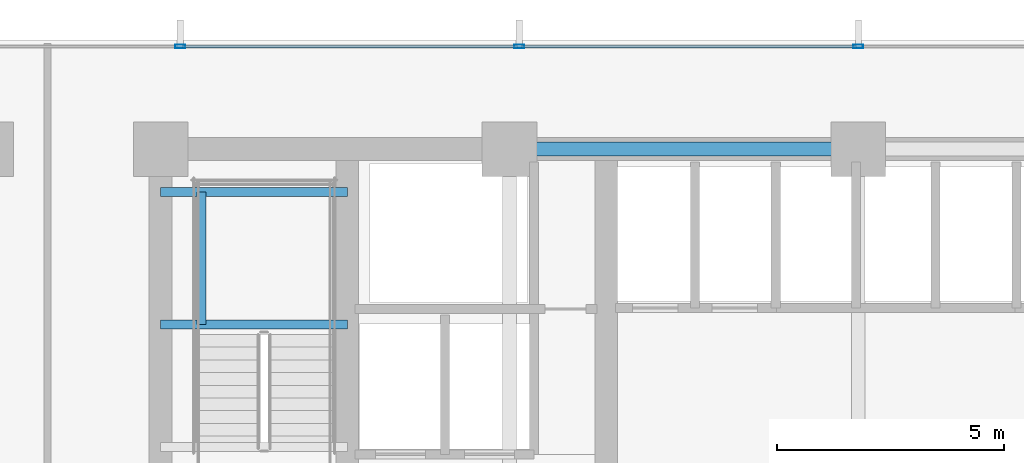
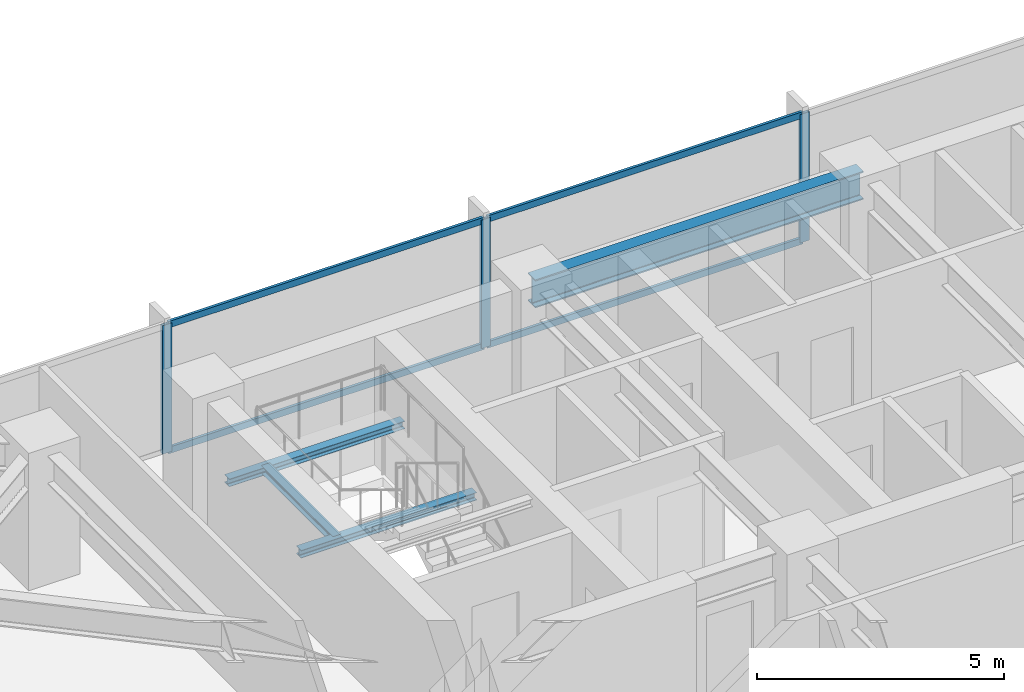
# One storey, part 18 of 33: 7 members, 4 beams, 1 element without a shape of its own.
"""IFC4 building model written with IfcOpenShell, lengths in metres."""

from ifc_helpers import new_model, si_unit, direction, frame, origin, origin_2d, place, context, subcontext, project, spatial, hollow_rectangle, i_section, extrude, material, material_profile, profile_set, type_object, element, aggregate, save


model = new_model("IFC4")

# Units and contexts
model_context = context("Model", 3, precision=1e-05, world=origin(), true_north=direction((0.0, 1.0)))
body_context = subcontext(model_context, "Body", "Model", "MODEL_VIEW")
ifc_project = project(units=[si_unit("LENGTHUNIT", "METRE"), si_unit("AREAUNIT", "SQUARE_METRE"), si_unit("VOLUMEUNIT", "CUBIC_METRE"), si_unit("PLANEANGLEUNIT", "RADIAN"), si_unit("MASSUNIT", "GRAM", prefix="KILO")], contexts=[model_context])

# Site, building, storey
site_placement = place(None, origin())
site = spatial("IfcSite", under=ifc_project, at=site_placement, CompositionType="ELEMENT")
building_placement = place(site_placement, origin())
building = spatial("IfcBuilding", under=site, at=building_placement, Name="Yelkora Congress Tower", CompositionType="ELEMENT")
storey_placement = place(building_placement, frame((0.0, 0.0, 47.39990234375)))
storey = spatial("IfcBuildingStorey", under=building, at=storey_placement, Name="L11", CompositionType="ELEMENT", Elevation=47.39990234375)

# Beams
ifc_material_1 = material(Name="Steel S355J2", Category="steel")
ifc_material_profile_1 = material_profile(ifc_material_1, i_section(OverallWidth=0.300048828125, OverallDepth=0.699951171875, WebThickness=0.01708984375, FlangeThickness=0.031982421875, FilletRadius=0.027099609375, at=origin_2d()), Name="HEB 700")
ifc_profile_set_1 = profile_set([ifc_material_profile_1], Name="Steel S355J2")
beam_type_1 = type_object("IfcBeamType", Name="BM-GIRD-HEB700", PredefinedType="BEAM", material=ifc_profile_set_1)
beam_1_placement = place(storey_placement, frame((30.719970703125, 46.199951171875, 2.830078125), z_axis=(1.0, 0.0, 0.0), x_axis=(0.0, 1.0, 0.0)))
element("IfcBeam", 1, at=beam_1_placement, inside=storey, type_object=beam_type_1, Name="L11 Core North Girder 3", PredefinedType="BEAM", context=body_context, shape_type="SweptSolid", body=[
    extrude(i_section(OverallWidth=0.300048828125, OverallDepth=0.699951171875, WebThickness=0.01708984375, FlangeThickness=0.031982421875, FilletRadius=0.027099609375, at=origin_2d()), origin(), (0.0, 0.0, 1.0), 7.679931640625),
])
ifc_material_profile_2 = material_profile(ifc_material_1, i_section(OverallWidth=0.199951171875, OverallDepth=0.18994140625, WebThickness=0.006591796875, FlangeThickness=0.010009765625, FilletRadius=0.01806640625, at=origin_2d()), Name="HEA 200")
ifc_profile_set_2 = profile_set([ifc_material_profile_2], Name="Steel S355J2")
beam_type_2 = type_object("IfcBeamType", Name="BM-LAND-HEA200", PredefinedType="BEAM", material=ifc_profile_set_2)
for number, where, z_axis, x_axis, name in (
    (2, (23.0400390625, 42.340087890625, 1.384765625), (1.0, 0.0, 0.0), (0.0, 1.0, 0.0), "ST-01 L11 Landing Header Beam 1S"),
    (3, (23.0400390625, 45.25, 1.384765625), (1.0, 0.0, 0.0), (0.0, 1.0, 0.0), "ST-01 L11 Landing Header Beam 1N"),
):
    element("IfcBeam", number, at=place(storey_placement, frame(where, z_axis=z_axis, x_axis=x_axis)), inside=storey, type_object=beam_type_2, Name=name, PredefinedType="BEAM", context=body_context, shape_type="SweptSolid", body=[
        extrude(i_section(OverallWidth=0.199951171875, OverallDepth=0.18994140625, WebThickness=0.006591796875, FlangeThickness=0.010009765625, FilletRadius=0.01806640625, at=origin_2d()), origin(), (0.0, 0.0, 1.0), 4.10986328125),
    ])
beam_2_placement = place(storey_placement, frame((23.93994140625, 42.340087890625, 1.384765625), z_axis=(0.0, 1.0, 0.0), x_axis=(-1.0, 0.0, 0.0)))
element("IfcBeam", 4, at=beam_2_placement, inside=storey, type_object=beam_type_2, Name="ST-01 L11 Landing Trimmer Beam 1M", PredefinedType="BEAM", context=body_context, shape_type="SweptSolid", body=[
    extrude(i_section(OverallWidth=0.199951171875, OverallDepth=0.18994140625, WebThickness=0.006591796875, FlangeThickness=0.010009765625, FilletRadius=0.01806640625, at=origin_2d()), origin(), (0.0, 0.0, 1.0), 2.909912109375),
])

# Curtain wall, members
ifc_material_2 = material(Name="Anodised aluminium and insulated glass", Category="aluminium")
curtain_wall_type = type_object("IfcCurtainWallType", Name="CW-SYS-B1", PredefinedType="NOTDEFINED", material=ifc_material_2)
curtain_wall_placement = place(storey_placement, origin())
curtain_wall = element("IfcCurtainWall", 5, at=curtain_wall_placement, inside=storey, type_object=curtain_wall_type, Name="L11 Unitised Curtain Wall 10", PredefinedType="NOTDEFINED")
ifc_material_3 = material(Name="Anodised aluminium 6063-T6", Category="aluminium")
ifc_material_profile_3 = material_profile(ifc_material_3, hollow_rectangle(XDim=0.074951171875, YDim=0.219970703125, WallThickness=0.0048828125, at=origin_2d()), Name="ALU 75x220x5")
ifc_profile_set_3 = profile_set([ifc_material_profile_3], Name="Anodised aluminium 6063-T6")
member_type_1 = type_object("IfcMemberType", Name="MEM-ML-B1", PredefinedType="MULLION", material=ifc_profile_set_3)
member_1_placement = place(storey_placement, frame((23.469970703125, 48.4599609375, 0.0), z_axis=(0.0, 0.0, 1.0), x_axis=(0.0, 1.0, 0.0)))
member_1 = element("IfcMember", 6, at=member_1_placement, type_object=member_type_1, Name="CW-B1 mullion 3", PredefinedType="MULLION", context=body_context, shape_type="SweptSolid", body=[
    extrude(hollow_rectangle(XDim=0.074951171875, YDim=0.219970703125, WallThickness=0.0048828125, at=origin_2d()), origin(), (0.0, 0.0, 1.0), 3.18017578125),
])
member_2_placement = place(storey_placement, frame((30.93505859375, 48.4599609375, 0.0), z_axis=(0.0, 0.0, 1.0), x_axis=(0.0, 1.0, 0.0)))
member_2 = element("IfcMember", 7, at=member_2_placement, type_object=member_type_1, Name="CW-B1 mullion 4", PredefinedType="MULLION", context=body_context, shape_type="SweptSolid", body=[
    extrude(hollow_rectangle(XDim=0.074951171875, YDim=0.219970703125, WallThickness=0.0048828125, at=origin_2d()), origin(), (0.0, 0.0, 1.0), 3.18017578125),
])
member_3_placement = place(storey_placement, frame((38.39990234375, 48.4599609375, 0.0), z_axis=(0.0, 0.0, 1.0), x_axis=(0.0, 1.0, 0.0)))
member_3 = element("IfcMember", 8, at=member_3_placement, type_object=member_type_1, Name="CW-B1 mullion 5", PredefinedType="MULLION", context=body_context, shape_type="SweptSolid", body=[
    extrude(hollow_rectangle(XDim=0.074951171875, YDim=0.219970703125, WallThickness=0.0048828125, at=origin_2d()), origin(), (0.0, 0.0, 1.0), 3.18017578125),
])
ifc_material_profile_4 = material_profile(ifc_material_3, hollow_rectangle(XDim=0.06494140625, YDim=0.159912109375, WallThickness=0.00390625, at=origin_2d()), Name="ALU 65x160x4")
ifc_profile_set_4 = profile_set([ifc_material_profile_4], Name="Anodised aluminium 6063-T6")
member_type_2 = type_object("IfcMemberType", Name="MEM-TR-B1", PredefinedType="USERDEFINED", material=ifc_profile_set_4)
member_4_placement = place(storey_placement, frame((23.507568359375, 48.4599609375, 0.03271484375), z_axis=(1.0, 0.0, 0.0), x_axis=(0.0, 1.0, 0.0)))
member_4 = element("IfcMember", 9, at=member_4_placement, type_object=member_type_2, Name="CW-B1 transom 3.1", ObjectType="TRANSOM", PredefinedType="USERDEFINED", context=body_context, shape_type="SweptSolid", body=[
    extrude(hollow_rectangle(XDim=0.06494140625, YDim=0.159912109375, WallThickness=0.00390625, at=origin_2d()), origin(), (0.0, 0.0, 1.0), 7.389892578125),
])
member_5_placement = place(storey_placement, frame((23.507568359375, 48.4599609375, 3.147705078125), z_axis=(1.0, 0.0, 0.0), x_axis=(0.0, 1.0, 0.0)))
member_5 = element("IfcMember", 10, at=member_5_placement, type_object=member_type_2, Name="CW-B1 transom 3.2", ObjectType="TRANSOM", PredefinedType="USERDEFINED", context=body_context, shape_type="SweptSolid", body=[
    extrude(hollow_rectangle(XDim=0.06494140625, YDim=0.159912109375, WallThickness=0.00390625, at=origin_2d()), origin(), (0.0, 0.0, 1.0), 7.389892578125),
])
member_6_placement = place(storey_placement, frame((30.972412109375, 48.4599609375, 0.03271484375), z_axis=(1.0, 0.0, 0.0), x_axis=(0.0, 1.0, 0.0)))
member_6 = element("IfcMember", 11, at=member_6_placement, type_object=member_type_2, Name="CW-B1 transom 4.1", ObjectType="TRANSOM", PredefinedType="USERDEFINED", context=body_context, shape_type="SweptSolid", body=[
    extrude(hollow_rectangle(XDim=0.06494140625, YDim=0.159912109375, WallThickness=0.00390625, at=origin_2d()), origin(), (0.0, 0.0, 1.0), 7.39013671875),
])
member_7_placement = place(storey_placement, frame((30.972412109375, 48.4599609375, 3.147705078125), z_axis=(1.0, 0.0, 0.0), x_axis=(0.0, 1.0, 0.0)))
member_7 = element("IfcMember", 12, at=member_7_placement, type_object=member_type_2, Name="CW-B1 transom 4.2", ObjectType="TRANSOM", PredefinedType="USERDEFINED", context=body_context, shape_type="SweptSolid", body=[
    extrude(hollow_rectangle(XDim=0.06494140625, YDim=0.159912109375, WallThickness=0.00390625, at=origin_2d()), origin(), (0.0, 0.0, 1.0), 7.39013671875),
])
aggregate(curtain_wall, [member_1, member_2, member_3, member_4, member_5, member_6, member_7])

save(model, "model.ifc")
